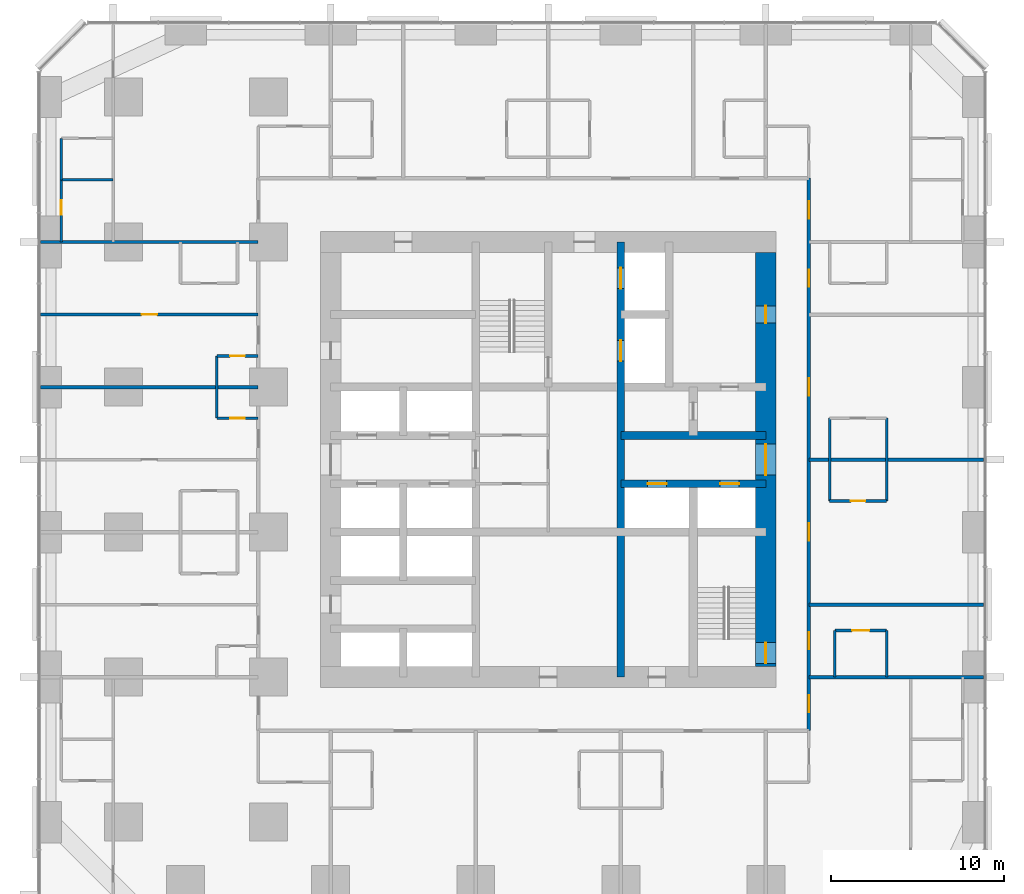
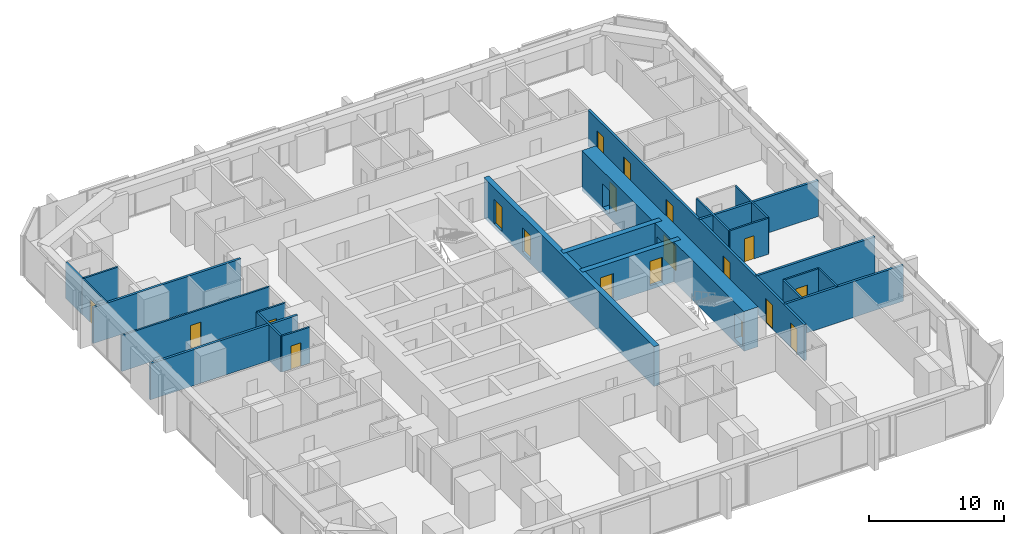
# One storey, part 10 of 13: 23 walls, 19 doors, 19 openings.
"""IFC4 building model written with IfcOpenShell, lengths in metres."""

from ifc_helpers import new_model, si_unit, direction, frame, frame_2d, origin, place, context, subcontext, project, spatial, rectangle, extrude, material, layer, layer_set, type_object, element, fill, save


model = new_model("IFC4")

# Units and contexts
model_context = context("Model", 3, precision=1e-05, world=origin(), true_north=direction((0.0, 1.0)))
body_context = subcontext(model_context, "Body", "Model", "MODEL_VIEW")
ifc_project = project(units=[si_unit("LENGTHUNIT", "METRE"), si_unit("AREAUNIT", "SQUARE_METRE"), si_unit("VOLUMEUNIT", "CUBIC_METRE"), si_unit("PLANEANGLEUNIT", "RADIAN"), si_unit("MASSUNIT", "GRAM", prefix="KILO")], contexts=[model_context])

# Site, building, storey
site_placement = place(None, origin())
site = spatial("IfcSite", under=ifc_project, at=site_placement, CompositionType="ELEMENT")
building_placement = place(site_placement, origin())
building = spatial("IfcBuilding", under=site, at=building_placement, Name="Dunama Terrace Hotel", CompositionType="ELEMENT")
storey_placement = place(building_placement, frame((0.0, 0.0, 97.199951171875)))
storey = spatial("IfcBuildingStorey", under=building, at=storey_placement, Name="L24", CompositionType="ELEMENT", Elevation=97.199951171875)

# Wall, opening, door
ifc_material_1 = material(Name="Gypsum board partition", Category="masonry")
ifc_layer_1 = layer(ifc_material_1, 0.14990234375)
ifc_layer_set_1 = layer_set([ifc_layer_1], Name="Bathroom partition 150")
wall_type_1 = type_object("IfcWallType", Name="Bathroom partition 150", PredefinedType="PARTITIONING", material=ifc_layer_set_1)
wall_1_placement = place(storey_placement, frame((1.199951171875, 42.0, 0.0), z_axis=(0.0, 0.0, 1.0), x_axis=(0.0, 1.0, 0.0)))
wall_1 = element("IfcWall", 1, at=wall_1_placement, inside=storey, type_object=wall_type_1, Name="Bathroom partition 150 L24", PredefinedType="PARTITIONING", context=body_context, shape_type="SweptSolid", body=[
    extrude(rectangle(XDim=3.60009765625, YDim=0.14990234375, at=frame_2d((1.800048828125, 0.0))), origin(), (0.0, 0.0, 1.0), 3.25),
])
opening_1_placement = place(wall_1_placement, frame((1.574951171875, 0.0, 0.0)))
opening_1 = element("IfcOpeningElement", 2, at=opening_1_placement, cuts=wall_1, Name="Opening L24-063", PredefinedType="OPENING", context=body_context, shape_type="SweptSolid", body=[
    extrude(rectangle(XDim=0.85009765625, YDim=2.10009765625, at=frame_2d((0.425048828125, 1.050048828125))), frame((0.0, 0.0849609375, 0.0), z_axis=(0.0, -1.0, 0.0), x_axis=(1.0, 0.0, 0.0)), (0.0, 0.0, 1.0), 0.169921875),
])
ifc_material_2 = material(Name="Timber door with steel frame", Category="steel")
door_type_1 = type_object("IfcDoorType", Name="Bathroom door 850", OperationType="SINGLE_SWING_LEFT", PredefinedType="DOOR", material=ifc_material_2)
door_1_placement = place(opening_1_placement, frame((0.85009765625, 0.0, 0.0), z_axis=(0.0, 0.0, 1.0), x_axis=(-1.0, 0.0, 0.0)))
door_1 = element("IfcDoor", 3, at=door_1_placement, inside=storey, type_object=door_type_1, Name="Door to en-suite bathroom L24-063, type D2", OperationType="SINGLE_SWING_RIGHT", OverallHeight=2.10009765625, OverallWidth=0.85009765625, PredefinedType="DOOR", context=body_context, shape_type="SweptSolid", body=[
    extrude(rectangle(XDim=0.85009765625, YDim=2.10009765625, at=frame_2d((0.425048828125, 1.050048828125))), frame((0.0, 0.025146484375, 0.0), z_axis=(0.0, -1.0, 0.0), x_axis=(1.0, 0.0, 0.0)), (0.0, 0.0, 1.0), 0.050048828125),
])
fill(opening_1, door_1)

# Walls
wall_2_placement = place(storey_placement, frame((10.199951171875, 31.800048828125, 0.0), z_axis=(0.0, 0.0, 1.0), x_axis=(0.0, 1.0, 0.0)))
element("IfcWall", 4, at=wall_2_placement, inside=storey, type_object=wall_type_1, Name="Bathroom partition 150 L24", PredefinedType="PARTITIONING", context=body_context, shape_type="SweptSolid", body=[
    extrude(rectangle(XDim=3.599853515625, YDim=0.14990234375, at=frame_2d((1.7998046875, 0.0))), origin(), (0.0, 0.0, 1.0), 3.25),
])
wall_3_placement = place(storey_placement, frame((45.699951171875, 27.0, 0.0), z_axis=(0.0, 0.0, 1.0), x_axis=(0.0, 1.0, 0.0)))
element("IfcWall", 5, at=wall_3_placement, inside=storey, type_object=wall_type_1, Name="Bathroom partition 150 L24", PredefinedType="PARTITIONING", context=body_context, shape_type="SweptSolid", body=[
    extrude(rectangle(XDim=4.800048828125, YDim=0.14990234375, at=frame_2d((2.39990234375, 0.0))), origin(), (0.0, 0.0, 1.0), 3.25),
])
for number, where, z_axis, x_axis, name in (
    (6, (46.0, 16.800048828125, 0.0), (0.0, 0.0, 1.0), (0.0, 1.0, 0.0), "Bathroom partition 150 L24"),
    (7, (49.0, 16.800048828125, 0.0), (0.0, 0.0, 1.0), (0.0, 1.0, 0.0), "Bathroom partition 150 L24"),
):
    element("IfcWall", number, at=place(storey_placement, frame(where, z_axis=z_axis, x_axis=x_axis)), inside=storey, type_object=wall_type_1, Name=name, PredefinedType="PARTITIONING", context=body_context, shape_type="SweptSolid", body=[
        extrude(rectangle(XDim=2.699951171875, YDim=0.14990234375, at=frame_2d((1.35009765625, 0.0))), origin(), (0.0, 0.0, 1.0), 3.25),
    ])
wall_4_placement = place(storey_placement, frame((49.0, 27.0, 0.0), z_axis=(0.0, 0.0, 1.0), x_axis=(0.0, 1.0, 0.0)))
element("IfcWall", 8, at=wall_4_placement, inside=storey, type_object=wall_type_1, Name="Bathroom partition 150 L24", PredefinedType="PARTITIONING", context=body_context, shape_type="SweptSolid", body=[
    extrude(rectangle(XDim=4.800048828125, YDim=0.14990234375, at=frame_2d((2.39990234375, 0.0))), origin(), (0.0, 0.0, 1.0), 3.25),
])

# Wall, opening, door
wall_5_placement = place(storey_placement, frame((46.0, 19.5, 0.0), z_axis=(0.0, 0.0, 1.0), x_axis=(1.0, 0.0, 0.0)))
wall_5 = element("IfcWall", 9, at=wall_5_placement, inside=storey, type_object=wall_type_1, Name="Bathroom partition 150 L24", PredefinedType="PARTITIONING", context=body_context, shape_type="SweptSolid", body=[
    extrude(rectangle(XDim=3.0, YDim=0.14990234375, at=frame_2d((1.5, 0.0))), origin(), (0.0, 0.0, 1.0), 3.25),
])
opening_2_placement = place(wall_5_placement, frame((1.0, 0.0, 0.0)))
opening_2 = element("IfcOpeningElement", 10, at=opening_2_placement, cuts=wall_5, Name="Opening L24-018", PredefinedType="OPENING", context=body_context, shape_type="SweptSolid", body=[
    extrude(rectangle(XDim=1.0, YDim=2.10009765625, at=frame_2d((0.5, 1.050048828125))), frame((0.0, 0.0849609375, 0.0), z_axis=(0.0, -1.0, 0.0), x_axis=(1.0, 0.0, 0.0)), (0.0, 0.0, 1.0), 0.169921875),
])
ifc_material_3 = material(Name="Timber door with steel frame", Category="steel")
door_type_2 = type_object("IfcDoorType", Name="Accessible room door 1000", OperationType="SINGLE_SWING_LEFT", PredefinedType="DOOR", material=ifc_material_3)
door_2_placement = place(opening_2_placement, frame((1.0, 0.0, 0.0), z_axis=(0.0, 0.0, 1.0), x_axis=(-1.0, 0.0, 0.0)))
door_2 = element("IfcDoor", 11, at=door_2_placement, inside=storey, type_object=door_type_2, Name="Door to accessible en-suite bathroom L24-018, type D17", OperationType="SINGLE_SWING_RIGHT", OverallHeight=2.10009765625, OverallWidth=1.0, PredefinedType="DOOR", context=body_context, shape_type="SweptSolid", body=[
    extrude(rectangle(XDim=1.0, YDim=2.10009765625, at=frame_2d((0.5, 1.050048828125))), frame((0.0, 0.025146484375, 0.0), z_axis=(0.0, -1.0, 0.0), x_axis=(1.0, 0.0, 0.0)), (0.0, 0.0, 1.0), 0.050048828125),
])
fill(opening_2, door_2)

wall_6_placement = place(storey_placement, frame((45.699951171875, 27.0, 0.0), z_axis=(0.0, 0.0, 1.0), x_axis=(1.0, 0.0, 0.0)))
wall_6 = element("IfcWall", 12, at=wall_6_placement, inside=storey, type_object=wall_type_1, Name="Bathroom partition 150 L24", PredefinedType="PARTITIONING", context=body_context, shape_type="SweptSolid", body=[
    extrude(rectangle(XDim=3.300048828125, YDim=0.14990234375, at=frame_2d((1.64990234375, 0.0))), origin(), (0.0, 0.0, 1.0), 3.25),
])
opening_3_placement = place(wall_6_placement, frame((1.22509765625, 0.0, 0.0)))
opening_3 = element("IfcOpeningElement", 13, at=opening_3_placement, cuts=wall_6, Name="Opening L24-020", PredefinedType="OPENING", context=body_context, shape_type="SweptSolid", body=[
    extrude(rectangle(XDim=0.85009765625, YDim=2.10009765625, at=frame_2d((0.425048828125, 1.050048828125))), frame((0.0, 0.0849609375, 0.0), z_axis=(0.0, -1.0, 0.0), x_axis=(1.0, 0.0, 0.0)), (0.0, 0.0, 1.0), 0.169921875),
])
door_3_placement = place(opening_3_placement, origin())
door_3 = element("IfcDoor", 14, at=door_3_placement, inside=storey, type_object=door_type_1, Name="Door to en-suite bathroom L24-020, type D2", OperationType="SINGLE_SWING_RIGHT", OverallHeight=2.10009765625, OverallWidth=0.85009765625, PredefinedType="DOOR", context=body_context, shape_type="SweptSolid", body=[
    extrude(rectangle(XDim=0.85009765625, YDim=2.10009765625, at=frame_2d((0.425048828125, 1.050048828125))), frame((0.0, 0.02490234375, 0.0), z_axis=(0.0, -1.0, 0.0), x_axis=(1.0, 0.0, 0.0)), (0.0, 0.0, 1.0), 0.050048828125),
])
fill(opening_3, door_3)

wall_7_placement = place(storey_placement, frame((10.199951171875, 31.800048828125, 0.0), z_axis=(0.0, 0.0, 1.0), x_axis=(1.0, 0.0, 0.0)))
wall_7 = element("IfcWall", 15, at=wall_7_placement, inside=storey, type_object=wall_type_1, Name="Bathroom partition 150 L24", PredefinedType="PARTITIONING", context=body_context, shape_type="SweptSolid", body=[
    extrude(rectangle(XDim=2.400146484375, YDim=0.14990234375, at=frame_2d((1.2001953125, 0.0))), origin(), (0.0, 0.0, 1.0), 3.25),
])
opening_4_placement = place(wall_7_placement, frame((0.77490234375, 0.0, 0.0)))
opening_4 = element("IfcOpeningElement", 16, at=opening_4_placement, cuts=wall_7, Name="Opening L24-038", PredefinedType="OPENING", context=body_context, shape_type="SweptSolid", body=[
    extrude(rectangle(XDim=0.85009765625, YDim=2.10009765625, at=frame_2d((0.425048828125, 1.050048828125))), frame((0.0, 0.0849609375, 0.0), z_axis=(0.0, -1.0, 0.0), x_axis=(1.0, 0.0, 0.0)), (0.0, 0.0, 1.0), 0.169921875),
])
door_4_placement = place(opening_4_placement, origin())
door_4 = element("IfcDoor", 17, at=door_4_placement, inside=storey, type_object=door_type_1, Name="Door to powder room L24-038, type D2", OperationType="SINGLE_SWING_RIGHT", OverallHeight=2.10009765625, OverallWidth=0.85009765625, PredefinedType="DOOR", context=body_context, shape_type="SweptSolid", body=[
    extrude(rectangle(XDim=0.85009765625, YDim=2.10009765625, at=frame_2d((0.425048828125, 1.050048828125))), frame((0.0, 0.02490234375, 0.0), z_axis=(0.0, -1.0, 0.0), x_axis=(1.0, 0.0, 0.0)), (0.0, 0.0, 1.0), 0.050048828125),
])
fill(opening_4, door_4)

wall_8_placement = place(storey_placement, frame((10.199951171875, 35.39990234375, 0.0), z_axis=(0.0, 0.0, 1.0), x_axis=(1.0, 0.0, 0.0)))
wall_8 = element("IfcWall", 18, at=wall_8_placement, inside=storey, type_object=wall_type_1, Name="Bathroom partition 150 L24", PredefinedType="PARTITIONING", context=body_context, shape_type="SweptSolid", body=[
    extrude(rectangle(XDim=2.400146484375, YDim=0.14990234375, at=frame_2d((1.2001953125, 0.0))), origin(), (0.0, 0.0, 1.0), 3.25),
])
opening_5_placement = place(wall_8_placement, frame((0.77490234375, 0.0, 0.0)))
opening_5 = element("IfcOpeningElement", 19, at=opening_5_placement, cuts=wall_8, Name="Opening L24-042", PredefinedType="OPENING", context=body_context, shape_type="SweptSolid", body=[
    extrude(rectangle(XDim=0.85009765625, YDim=2.10009765625, at=frame_2d((0.425048828125, 1.050048828125))), frame((0.0, 0.0849609375, 0.0), z_axis=(0.0, -1.0, 0.0), x_axis=(1.0, 0.0, 0.0)), (0.0, 0.0, 1.0), 0.169921875),
])
door_5_placement = place(opening_5_placement, frame((0.85009765625, 0.0, 0.0), z_axis=(0.0, 0.0, 1.0), x_axis=(-1.0, 0.0, 0.0)))
door_5 = element("IfcDoor", 20, at=door_5_placement, inside=storey, type_object=door_type_1, Name="Door to powder room L24-042, type D2", OperationType="SINGLE_SWING_LEFT", OverallHeight=2.10009765625, OverallWidth=0.85009765625, PredefinedType="DOOR", context=body_context, shape_type="SweptSolid", body=[
    extrude(rectangle(XDim=0.85009765625, YDim=2.10009765625, at=frame_2d((0.425048828125, 1.050048828125))), frame((0.0, 0.025146484375, 0.0), z_axis=(0.0, -1.0, 0.0), x_axis=(1.0, 0.0, 0.0)), (0.0, 0.0, 1.0), 0.050048828125),
])
fill(opening_5, door_5)

# Wall, openings, doors
ifc_material_4 = material(Name="Concrete C50/60", Category="concrete")
ifc_layer_2 = layer(ifc_material_4, 0.449951171875)
ifc_layer_set_2 = layer_set([ifc_layer_2], Name="Core inner wall 450")
wall_type_2 = type_object("IfcWallType", Name="Core inner wall 450", PredefinedType="SHEAR", material=ifc_layer_set_2)
wall_9_placement = place(storey_placement, frame((33.60009765625, 16.800048828125, -0.349853515625), z_axis=(0.0, 0.0, 1.0), x_axis=(0.0, 1.0, 0.0)))
wall_9 = element("IfcWall", 21, at=wall_9_placement, inside=storey, type_object=wall_type_2, Name="Core inner wall 450 L24", PredefinedType="SHEAR", context=body_context, shape_type="SweptSolid", body=[
    extrude(rectangle(XDim=25.199951171875, YDim=0.449951171875, at=frame_2d((12.60009765625, 0.0))), origin(), (0.0, 0.0, 1.0), 3.599853515625),
])
opening_6_placement = place(wall_9_placement, frame((22.5, 0.0, 0.35009765625)))
opening_6 = element("IfcOpeningElement", 22, at=opening_6_placement, cuts=wall_9, Name="Opening L24-009", PredefinedType="OPENING", context=body_context, shape_type="SweptSolid", body=[
    extrude(rectangle(XDim=1.199951171875, YDim=2.199951171875, at=frame_2d((0.60009765625, 1.10009765625))), frame((0.0, 0.23486328125, 0.0), z_axis=(0.0, -1.0, 0.0), x_axis=(1.0, 0.0, 0.0)), (0.0, 0.0, 1.0), 0.469970703125),
])
opening_7_placement = place(wall_9_placement, frame((18.300048828125, 0.0, 0.35009765625)))
opening_7 = element("IfcOpeningElement", 23, at=opening_7_placement, cuts=wall_9, Name="Opening L24-010", PredefinedType="OPENING", context=body_context, shape_type="SweptSolid", body=[
    extrude(rectangle(XDim=1.199951171875, YDim=2.199951171875, at=frame_2d((0.60009765625, 1.10009765625))), frame((0.0, 0.23486328125, 0.0), z_axis=(0.0, -1.0, 0.0), x_axis=(1.0, 0.0, 0.0)), (0.0, 0.0, 1.0), 0.469970703125),
])
ifc_material_5 = material(Name="Stainless steel lift door", Category="steel")
door_type_3 = type_object("IfcDoorType", Name="Firefighting lift landing door 1200", OperationType="DOUBLE_DOOR_SLIDING", PredefinedType="DOOR", material=ifc_material_5)
door_6_placement = place(opening_6_placement, origin())
door_6 = element("IfcDoor", 24, at=door_6_placement, inside=storey, type_object=door_type_3, Name="Landing door FL1 L24-009, type LD2", OperationType="DOUBLE_DOOR_SLIDING", OverallHeight=2.199951171875, OverallWidth=1.199951171875, PredefinedType="DOOR", context=body_context, shape_type="SweptSolid", body=[
    extrude(rectangle(XDim=1.199951171875, YDim=2.199951171875, at=frame_2d((0.60009765625, 1.10009765625))), frame((0.0, 0.02490234375, 0.0), z_axis=(0.0, -1.0, 0.0), x_axis=(1.0, 0.0, 0.0)), (0.0, 0.0, 1.0), 0.050048828125),
])
fill(opening_6, door_6)
door_7_placement = place(opening_7_placement, origin())
door_7 = element("IfcDoor", 25, at=door_7_placement, inside=storey, type_object=door_type_3, Name="Landing door FL2 L24-010, type LD2", OperationType="DOUBLE_DOOR_SLIDING", OverallHeight=2.199951171875, OverallWidth=1.199951171875, PredefinedType="DOOR", context=body_context, shape_type="SweptSolid", body=[
    extrude(rectangle(XDim=1.199951171875, YDim=2.199951171875, at=frame_2d((0.60009765625, 1.10009765625))), frame((0.0, 0.02490234375, 0.0), z_axis=(0.0, -1.0, 0.0), x_axis=(1.0, 0.0, 0.0)), (0.0, 0.0, 1.0), 0.050048828125),
])
fill(opening_7, door_7)

wall_10_placement = place(storey_placement, frame((33.60009765625, 28.0, -0.349853515625), z_axis=(0.0, 0.0, 1.0), x_axis=(1.0, 0.0, 0.0)))
wall_10 = element("IfcWall", 26, at=wall_10_placement, inside=storey, type_object=wall_type_2, Name="Core inner wall 450 L24", PredefinedType="SHEAR", context=body_context, shape_type="SweptSolid", body=[
    extrude(rectangle(XDim=8.39990234375, YDim=0.449951171875, at=frame_2d((4.199951171875, 0.0))), origin(), (0.0, 0.0, 1.0), 3.599853515625),
])
opening_8_placement = place(wall_10_placement, frame((1.550048828125, 0.0, 0.35009765625)))
opening_8 = element("IfcOpeningElement", 27, at=opening_8_placement, cuts=wall_10, Name="Opening L24-003", PredefinedType="OPENING", context=body_context, shape_type="SweptSolid", body=[
    extrude(rectangle(XDim=1.10009765625, YDim=2.199951171875, at=frame_2d((0.550048828125, 1.10009765625))), frame((0.0, 0.23486328125, 0.0), z_axis=(0.0, -1.0, 0.0), x_axis=(1.0, 0.0, 0.0)), (0.0, 0.0, 1.0), 0.469970703125),
])
opening_9_placement = place(wall_10_placement, frame((5.75, 0.0, 0.35009765625)))
opening_9 = element("IfcOpeningElement", 28, at=opening_9_placement, cuts=wall_10, Name="Opening L24-004", PredefinedType="OPENING", context=body_context, shape_type="SweptSolid", body=[
    extrude(rectangle(XDim=1.10009765625, YDim=2.199951171875, at=frame_2d((0.550048828125, 1.10009765625))), frame((0.0, 0.23486328125, 0.0), z_axis=(0.0, -1.0, 0.0), x_axis=(1.0, 0.0, 0.0)), (0.0, 0.0, 1.0), 0.469970703125),
])
ifc_material_6 = material(Name="Stainless steel lift door", Category="steel")
door_type_4 = type_object("IfcDoorType", Name="Lift landing door 1100", OperationType="DOUBLE_DOOR_SLIDING", PredefinedType="DOOR", material=ifc_material_6)
door_8_placement = place(opening_8_placement, origin())
door_8 = element("IfcDoor", 29, at=door_8_placement, inside=storey, type_object=door_type_4, Name="Landing door PB1 L24-003, type LD1", OperationType="DOUBLE_DOOR_SLIDING", OverallHeight=2.199951171875, OverallWidth=1.10009765625, PredefinedType="DOOR", context=body_context, shape_type="SweptSolid", body=[
    extrude(rectangle(XDim=1.10009765625, YDim=2.199951171875, at=frame_2d((0.550048828125, 1.10009765625))), frame((0.0, 0.02490234375, 0.0), z_axis=(0.0, -1.0, 0.0), x_axis=(1.0, 0.0, 0.0)), (0.0, 0.0, 1.0), 0.050048828125),
])
fill(opening_8, door_8)
door_9_placement = place(opening_9_placement, origin())
door_9 = element("IfcDoor", 30, at=door_9_placement, inside=storey, type_object=door_type_4, Name="Landing door PB2 L24-004, type LD1", OperationType="DOUBLE_DOOR_SLIDING", OverallHeight=2.199951171875, OverallWidth=1.10009765625, PredefinedType="DOOR", context=body_context, shape_type="SweptSolid", body=[
    extrude(rectangle(XDim=1.10009765625, YDim=2.199951171875, at=frame_2d((0.550048828125, 1.10009765625))), frame((0.0, 0.02490234375, 0.0), z_axis=(0.0, -1.0, 0.0), x_axis=(1.0, 0.0, 0.0)), (0.0, 0.0, 1.0), 0.050048828125),
])
fill(opening_9, door_9)

# Wall
wall_11_placement = place(storey_placement, frame((33.60009765625, 30.800048828125, -0.349853515625), z_axis=(0.0, 0.0, 1.0), x_axis=(1.0, 0.0, 0.0)))
element("IfcWall", 31, at=wall_11_placement, inside=storey, type_object=wall_type_2, Name="Core inner wall 450 L24", PredefinedType="SHEAR", context=body_context, shape_type="SweptSolid", body=[
    extrude(rectangle(XDim=8.39990234375, YDim=0.449951171875, at=frame_2d((4.199951171875, 0.0))), origin(), (0.0, 0.0, 1.0), 3.599853515625),
])

# Wall, openings, doors
ifc_material_7 = material(Name="Concrete C60/75", Category="concrete")
ifc_layer_3 = layer(ifc_material_7, 1.199951171875)
ifc_layer_set_3 = layer_set([ifc_layer_3], Name="Core wall 1200")
wall_type_3 = type_object("IfcWallType", Name="Core wall 1200", PredefinedType="SHEAR", material=ifc_layer_set_3)
wall_12_placement = place(storey_placement, frame((42.0, 17.39990234375, -0.349853515625), z_axis=(0.0, 0.0, 1.0), x_axis=(0.0, 1.0, 0.0)))
wall_12 = element("IfcWall", 32, at=wall_12_placement, inside=storey, type_object=wall_type_3, Name="Core wall east L24", PredefinedType="SHEAR", context=body_context, shape_type="SweptSolid", body=[
    extrude(rectangle(XDim=24.0, YDim=1.199951171875, at=frame_2d((12.0, 0.0))), origin(), (0.0, 0.0, 1.0), 3.599853515625),
])
opening_10_placement = place(wall_12_placement, frame((0.199951171875, 0.0, 0.35009765625)))
opening_10 = element("IfcOpeningElement", 33, at=opening_10_placement, cuts=wall_12, Name="Opening L24-002", PredefinedType="OPENING", context=body_context, shape_type="SweptSolid", body=[
    extrude(rectangle(XDim=1.199951171875, YDim=2.199951171875, at=frame_2d((0.60009765625, 1.10009765625))), frame((0.0, 0.60986328125, 0.0), z_axis=(0.0, -1.0, 0.0), x_axis=(1.0, 0.0, 0.0)), (0.0, 0.0, 1.0), 1.219970703125),
])
opening_11_placement = place(wall_12_placement, frame((11.10009765625, 0.0, 0.35009765625)))
opening_11 = element("IfcOpeningElement", 34, at=opening_11_placement, cuts=wall_12, Name="Opening L24-075", PredefinedType="OPENING", context=body_context, shape_type="SweptSolid", body=[
    extrude(rectangle(XDim=1.800048828125, YDim=2.199951171875, at=frame_2d((0.89990234375, 1.10009765625))), frame((0.0, 0.60986328125, 0.0), z_axis=(0.0, -1.0, 0.0), x_axis=(1.0, 0.0, 0.0)), (0.0, 0.0, 1.0), 1.219970703125),
])
opening_12_placement = place(wall_12_placement, frame((19.89990234375, 0.0, 0.35009765625)))
opening_12 = element("IfcOpeningElement", 35, at=opening_12_placement, cuts=wall_12, Name="Opening L24-077", PredefinedType="OPENING", context=body_context, shape_type="SweptSolid", body=[
    extrude(rectangle(XDim=1.0, YDim=2.10009765625, at=frame_2d((0.5, 1.050048828125))), frame((0.0, 0.60986328125, 0.0), z_axis=(0.0, -1.0, 0.0), x_axis=(1.0, 0.0, 0.0)), (0.0, 0.0, 1.0), 1.219970703125),
])
ifc_material_8 = material(Name="Timber door with steel frame", Category="steel")
door_type_5 = type_object("IfcDoorType", Name="Lift lobby double door 1800", OperationType="DOUBLE_DOOR_DOUBLE_SWING", PredefinedType="DOOR", material=ifc_material_8)
door_10_placement = place(opening_11_placement, origin())
door_10 = element("IfcDoor", 36, at=door_10_placement, inside=storey, type_object=door_type_5, Name="Door to lift lobby L24-075, type D3", OperationType="DOUBLE_DOOR_DOUBLE_SWING", OverallHeight=2.199951171875, OverallWidth=1.800048828125, PredefinedType="DOOR", context=body_context, shape_type="SweptSolid", body=[
    extrude(rectangle(XDim=1.800048828125, YDim=2.199951171875, at=frame_2d((0.89990234375, 1.10009765625))), frame((0.0, 0.02490234375, 0.0), z_axis=(0.0, -1.0, 0.0), x_axis=(1.0, 0.0, 0.0)), (0.0, 0.0, 1.0), 0.050048828125),
])
fill(opening_11, door_10)
ifc_material_9 = material(Name="Timber door with steel frame", Category="steel")
door_type_6 = type_object("IfcDoorType", Name="Service door 1000", OperationType="SINGLE_SWING_LEFT", PredefinedType="DOOR", material=ifc_material_9)
door_11_placement = place(opening_12_placement, origin())
door_11 = element("IfcDoor", 37, at=door_11_placement, inside=storey, type_object=door_type_6, Name="Door to guest pantry L24-077, type D7", OperationType="SINGLE_SWING_LEFT", OverallHeight=2.10009765625, OverallWidth=1.0, PredefinedType="DOOR", context=body_context, shape_type="SweptSolid", body=[
    extrude(rectangle(XDim=1.0, YDim=2.10009765625, at=frame_2d((0.5, 1.050048828125))), frame((0.0, 0.02490234375, 0.0), z_axis=(0.0, -1.0, 0.0), x_axis=(1.0, 0.0, 0.0)), (0.0, 0.0, 1.0), 0.050048828125),
])
fill(opening_12, door_11)
ifc_material_10 = material(Name="Timber door with steel frame", Category="steel")
door_type_7 = type_object("IfcDoorType", Name="Stair door 1200", OperationType="SINGLE_SWING_LEFT", PredefinedType="DOOR", material=ifc_material_10)
door_12_placement = place(opening_10_placement, origin())
door_12 = element("IfcDoor", 38, at=door_12_placement, inside=storey, type_object=door_type_7, Name="Stair door ST2 L24-002, type D5", OperationType="SINGLE_SWING_LEFT", OverallHeight=2.199951171875, OverallWidth=1.199951171875, PredefinedType="DOOR", context=body_context, shape_type="SweptSolid", body=[
    extrude(rectangle(XDim=1.199951171875, YDim=2.199951171875, at=frame_2d((0.60009765625, 1.10009765625))), frame((0.0, 0.02490234375, 0.0), z_axis=(0.0, -1.0, 0.0), x_axis=(1.0, 0.0, 0.0)), (0.0, 0.0, 1.0), 0.050048828125),
])
fill(opening_10, door_12)

ifc_material_11 = material(Name="Concrete blockwork", Category="masonry")
ifc_layer_4 = layer(ifc_material_11, 0.199951171875)
ifc_layer_set_4 = layer_set([ifc_layer_4], Name="Corridor partition 200")
wall_type_4 = type_object("IfcWallType", Name="Corridor partition 200", PredefinedType="PARTITIONING", material=ifc_layer_set_4)
wall_13_placement = place(storey_placement, frame((44.5, 45.699951171875, 0.0), z_axis=(0.0, 0.0, 1.0), x_axis=(0.0, -1.0, 0.0)))
wall_13 = element("IfcWall", 39, at=wall_13_placement, inside=storey, type_object=wall_type_4, Name="Corridor partition 200 L24", PredefinedType="PARTITIONING", context=body_context, shape_type="SweptSolid", body=[
    extrude(rectangle(XDim=32.0, YDim=0.199951171875, at=frame_2d((16.0, 0.0))), origin(), (0.0, 0.0, 1.0), 3.25),
])
opening_13_placement = place(wall_13_placement, frame((26.300048828125, 0.0, 0.0)))
opening_13 = element("IfcOpeningElement", 40, at=opening_13_placement, cuts=wall_13, Name="Opening L24-017", PredefinedType="OPENING", context=body_context, shape_type="SweptSolid", body=[
    extrude(rectangle(XDim=1.0, YDim=2.199951171875, at=frame_2d((0.5, 1.10009765625))), frame((0.0, 0.10986328125, 0.0), z_axis=(0.0, -1.0, 0.0), x_axis=(1.0, 0.0, 0.0)), (0.0, 0.0, 1.0), 0.219970703125),
])
opening_14_placement = place(wall_13_placement, frame((20.0, 0.0, 0.0)))
opening_14 = element("IfcOpeningElement", 41, at=opening_14_placement, cuts=wall_13, Name="Opening L24-019", PredefinedType="OPENING", context=body_context, shape_type="SweptSolid", body=[
    extrude(rectangle(XDim=1.0, YDim=2.199951171875, at=frame_2d((0.5, 1.10009765625))), frame((0.0, 0.10986328125, 0.0), z_axis=(0.0, -1.0, 0.0), x_axis=(1.0, 0.0, 0.0)), (0.0, 0.0, 1.0), 0.219970703125),
])
opening_15_placement = place(wall_13_placement, frame((11.60009765625, 0.0, 0.0)))
opening_15 = element("IfcOpeningElement", 42, at=opening_15_placement, cuts=wall_13, Name="Opening L24-021", PredefinedType="OPENING", context=body_context, shape_type="SweptSolid", body=[
    extrude(rectangle(XDim=1.0, YDim=2.199951171875, at=frame_2d((0.5, 1.10009765625))), frame((0.0, 0.10986328125, 0.0), z_axis=(0.0, -1.0, 0.0), x_axis=(1.0, 0.0, 0.0)), (0.0, 0.0, 1.0), 0.219970703125),
])
opening_16_placement = place(wall_13_placement, frame((5.300048828125, 0.0, 0.0)))
opening_16 = element("IfcOpeningElement", 43, at=opening_16_placement, cuts=wall_13, Name="Opening L24-023", PredefinedType="OPENING", context=body_context, shape_type="SweptSolid", body=[
    extrude(rectangle(XDim=1.0, YDim=2.199951171875, at=frame_2d((0.5, 1.10009765625))), frame((0.0, 0.10986328125, 0.0), z_axis=(0.0, -1.0, 0.0), x_axis=(1.0, 0.0, 0.0)), (0.0, 0.0, 1.0), 0.219970703125),
])
opening_17_placement = place(wall_13_placement, frame((29.949951171875, 0.0, 0.0)))
opening_17 = element("IfcOpeningElement", 44, at=opening_17_placement, cuts=wall_13, Name="Opening L24-050", PredefinedType="OPENING", context=body_context, shape_type="SweptSolid", body=[
    extrude(rectangle(XDim=1.0, YDim=2.199951171875, at=frame_2d((0.5, 1.10009765625))), frame((0.0, 0.10986328125, 0.0), z_axis=(0.0, -1.0, 0.0), x_axis=(1.0, 0.0, 0.0)), (0.0, 0.0, 1.0), 0.219970703125),
])
opening_18_placement = place(wall_13_placement, frame((1.35009765625, 0.0, 0.0)))
opening_18 = element("IfcOpeningElement", 45, at=opening_18_placement, cuts=wall_13, Name="Opening L24-055", PredefinedType="OPENING", context=body_context, shape_type="SweptSolid", body=[
    extrude(rectangle(XDim=1.0, YDim=2.199951171875, at=frame_2d((0.5, 1.10009765625))), frame((0.0, 0.10986328125, 0.0), z_axis=(0.0, -1.0, 0.0), x_axis=(1.0, 0.0, 0.0)), (0.0, 0.0, 1.0), 0.219970703125),
])
ifc_material_12 = material(Name="Timber door with steel frame", Category="steel")
door_type_8 = type_object("IfcDoorType", Name="Guest room door 1000", OperationType="SINGLE_SWING_LEFT", PredefinedType="DOOR", material=ifc_material_12)
door_13_placement = place(opening_13_placement, origin())
door_13 = element("IfcDoor", 46, at=door_13_placement, inside=storey, type_object=door_type_8, Name="Door to accessible premier room L24-017, type D1", OperationType="SINGLE_SWING_LEFT", OverallHeight=2.199951171875, OverallWidth=1.0, PredefinedType="DOOR", context=body_context, shape_type="SweptSolid", body=[
    extrude(rectangle(XDim=1.0, YDim=2.199951171875, at=frame_2d((0.5, 1.10009765625))), frame((0.0, 0.02490234375, 0.0), z_axis=(0.0, -1.0, 0.0), x_axis=(1.0, 0.0, 0.0)), (0.0, 0.0, 1.0), 0.050048828125),
])
fill(opening_13, door_13)
door_14_placement = place(opening_14_placement, origin())
door_14 = element("IfcDoor", 47, at=door_14_placement, inside=storey, type_object=door_type_8, Name="Door to junior suite L24-019, type D1", OperationType="SINGLE_SWING_LEFT", OverallHeight=2.199951171875, OverallWidth=1.0, PredefinedType="DOOR", context=body_context, shape_type="SweptSolid", body=[
    extrude(rectangle(XDim=1.0, YDim=2.199951171875, at=frame_2d((0.5, 1.10009765625))), frame((0.0, 0.02490234375, 0.0), z_axis=(0.0, -1.0, 0.0), x_axis=(1.0, 0.0, 0.0)), (0.0, 0.0, 1.0), 0.050048828125),
])
fill(opening_14, door_14)
door_15_placement = place(opening_15_placement, origin())
door_15 = element("IfcDoor", 48, at=door_15_placement, inside=storey, type_object=door_type_8, Name="Door to junior suite L24-021, type D1", OperationType="SINGLE_SWING_RIGHT", OverallHeight=2.199951171875, OverallWidth=1.0, PredefinedType="DOOR", context=body_context, shape_type="SweptSolid", body=[
    extrude(rectangle(XDim=1.0, YDim=2.199951171875, at=frame_2d((0.5, 1.10009765625))), frame((0.0, 0.02490234375, 0.0), z_axis=(0.0, -1.0, 0.0), x_axis=(1.0, 0.0, 0.0)), (0.0, 0.0, 1.0), 0.050048828125),
])
fill(opening_15, door_15)
door_16_placement = place(opening_16_placement, origin())
door_16 = element("IfcDoor", 49, at=door_16_placement, inside=storey, type_object=door_type_8, Name="Door to premier room L24-023, type D1", OperationType="SINGLE_SWING_LEFT", OverallHeight=2.199951171875, OverallWidth=1.0, PredefinedType="DOOR", context=body_context, shape_type="SweptSolid", body=[
    extrude(rectangle(XDim=1.0, YDim=2.199951171875, at=frame_2d((0.5, 1.10009765625))), frame((0.0, 0.02490234375, 0.0), z_axis=(0.0, -1.0, 0.0), x_axis=(1.0, 0.0, 0.0)), (0.0, 0.0, 1.0), 0.050048828125),
])
fill(opening_16, door_16)
door_17_placement = place(opening_17_placement, origin())
door_17 = element("IfcDoor", 50, at=door_17_placement, inside=storey, type_object=door_type_8, Name="Door to corner suite living room L24-050, type D1", OperationType="SINGLE_SWING_LEFT", OverallHeight=2.199951171875, OverallWidth=1.0, PredefinedType="DOOR", context=body_context, shape_type="SweptSolid", body=[
    extrude(rectangle(XDim=1.0, YDim=2.199951171875, at=frame_2d((0.5, 1.10009765625))), frame((0.0, 0.02490234375, 0.0), z_axis=(0.0, -1.0, 0.0), x_axis=(1.0, 0.0, 0.0)), (0.0, 0.0, 1.0), 0.050048828125),
])
fill(opening_17, door_17)
door_18_placement = place(opening_18_placement, origin())
door_18 = element("IfcDoor", 51, at=door_18_placement, inside=storey, type_object=door_type_8, Name="Door to corner suite living room L24-055, type D1", OperationType="SINGLE_SWING_LEFT", OverallHeight=2.199951171875, OverallWidth=1.0, PredefinedType="DOOR", context=body_context, shape_type="SweptSolid", body=[
    extrude(rectangle(XDim=1.0, YDim=2.199951171875, at=frame_2d((0.5, 1.10009765625))), frame((0.0, 0.02490234375, 0.0), z_axis=(0.0, -1.0, 0.0), x_axis=(1.0, 0.0, 0.0)), (0.0, 0.0, 1.0), 0.050048828125),
])
fill(opening_18, door_18)

# Walls
ifc_material_13 = material(Name="Concrete blockwork", Category="masonry")
ifc_layer_5 = layer(ifc_material_13, 0.199951171875)
ifc_layer_set_5 = layer_set([ifc_layer_5], Name="Party wall 200")
wall_type_5 = type_object("IfcWallType", Name="Party wall 200", PredefinedType="PARTITIONING", material=ifc_layer_set_5)
for number, where, z_axis, x_axis, name in (
    (52, (44.5, 16.800048828125, 0.0), (0.0, 0.0, 1.0), (1.0, 0.0, 0.0), "Party wall 200 L24"),
    (53, (44.5, 21.0, 0.0), (0.0, 0.0, 1.0), (1.0, 0.0, 0.0), "Party wall 200 L24"),
    (54, (44.5, 29.39990234375, 0.0), (0.0, 0.0, 1.0), (1.0, 0.0, 0.0), "Party wall 200 L24"),
):
    element("IfcWall", number, at=place(storey_placement, frame(where, z_axis=z_axis, x_axis=x_axis)), inside=storey, type_object=wall_type_5, Name=name, PredefinedType="PARTITIONING", context=body_context, shape_type="SweptSolid", body=[
        extrude(rectangle(XDim=10.117919921875, YDim=0.199951171875, at=frame_2d((5.05908203125, 0.0))), origin(), (0.0, 0.0, 1.0), 3.25),
    ])
for number, where, z_axis, x_axis, name in (
    (55, (-0.01806640625, 33.60009765625, 0.0), (0.0, 0.0, 1.0), (1.0, 0.0, 0.0), "Party wall 200 L24"),
    (56, (-0.01806640625, 42.0, 0.0), (0.0, 0.0, 1.0), (1.0, 0.0, 0.0), "Party wall 200 L24"),
):
    element("IfcWall", number, at=place(storey_placement, frame(where, z_axis=z_axis, x_axis=x_axis)), inside=storey, type_object=wall_type_5, Name=name, PredefinedType="PARTITIONING", context=body_context, shape_type="SweptSolid", body=[
        extrude(rectangle(XDim=12.6181640625, YDim=0.199951171875, at=frame_2d((6.30908203125, 0.0))), origin(), (0.0, 0.0, 1.0), 3.25),
    ])
ifc_material_14 = material(Name="Gypsum board partition", Category="masonry")
ifc_layer_6 = layer(ifc_material_14, 0.14990234375)
ifc_layer_set_6 = layer_set([ifc_layer_6], Name="Room partition 150")
wall_type_6 = type_object("IfcWallType", Name="Room partition 150", PredefinedType="PARTITIONING", material=ifc_layer_set_6)
wall_14_placement = place(storey_placement, frame((1.199951171875, 45.60009765625, 0.0), z_axis=(0.0, 0.0, 1.0), x_axis=(0.0, 1.0, 0.0)))
element("IfcWall", 57, at=wall_14_placement, inside=storey, type_object=wall_type_6, Name="Room partition 150 L24", PredefinedType="PARTITIONING", context=body_context, shape_type="SweptSolid", body=[
    extrude(rectangle(XDim=2.39990234375, YDim=0.14990234375, at=frame_2d((1.199951171875, 0.0))), origin(), (0.0, 0.0, 1.0), 3.25),
])

# Wall, opening, door
wall_15_placement = place(storey_placement, frame((-0.01806640625, 37.800048828125, 0.0), z_axis=(0.0, 0.0, 1.0), x_axis=(1.0, 0.0, 0.0)))
wall_15 = element("IfcWall", 58, at=wall_15_placement, inside=storey, type_object=wall_type_6, Name="Room partition 150 L24", PredefinedType="PARTITIONING", context=body_context, shape_type="SweptSolid", body=[
    extrude(rectangle(XDim=12.6181640625, YDim=0.14990234375, at=frame_2d((6.30908203125, 0.0))), origin(), (0.0, 0.0, 1.0), 3.25),
])
opening_19_placement = place(wall_15_placement, frame((5.867919921875, 0.0, 0.0)))
opening_19 = element("IfcOpeningElement", 59, at=opening_19_placement, cuts=wall_15, Name="Opening L24-043", PredefinedType="OPENING", context=body_context, shape_type="SweptSolid", body=[
    extrude(rectangle(XDim=0.89990234375, YDim=2.10009765625, at=frame_2d((0.449951171875, 1.050048828125))), frame((0.0, 0.0849609375, 0.0), z_axis=(0.0, -1.0, 0.0), x_axis=(1.0, 0.0, 0.0)), (0.0, 0.0, 1.0), 0.169921875),
])
ifc_material_15 = material(Name="Timber door with steel frame", Category="steel")
door_type_9 = type_object("IfcDoorType", Name="Suite internal door 900", OperationType="SINGLE_SWING_LEFT", PredefinedType="DOOR", material=ifc_material_15)
door_19_placement = place(opening_19_placement, origin())
door_19 = element("IfcDoor", 60, at=door_19_placement, inside=storey, type_object=door_type_9, Name="Door to premier suite bedroom L24-043, type D16", OperationType="SINGLE_SWING_RIGHT", OverallHeight=2.10009765625, OverallWidth=0.89990234375, PredefinedType="DOOR", context=body_context, shape_type="SweptSolid", body=[
    extrude(rectangle(XDim=0.89990234375, YDim=2.10009765625, at=frame_2d((0.449951171875, 1.050048828125))), frame((0.0, 0.02490234375, 0.0), z_axis=(0.0, -1.0, 0.0), x_axis=(1.0, 0.0, 0.0)), (0.0, 0.0, 1.0), 0.050048828125),
])
fill(opening_19, door_19)

# Wall
wall_16_placement = place(storey_placement, frame((1.199951171875, 45.60009765625, 0.0), z_axis=(0.0, 0.0, 1.0), x_axis=(1.0, 0.0, 0.0)))
element("IfcWall", 61, at=wall_16_placement, inside=storey, type_object=wall_type_6, Name="Room partition 150 L24", PredefinedType="PARTITIONING", context=body_context, shape_type="SweptSolid", body=[
    extrude(rectangle(XDim=3.0, YDim=0.14990234375, at=frame_2d((1.5, 0.0))), origin(), (0.0, 0.0, 1.0), 3.25),
])

save(model, "model.ifc")
